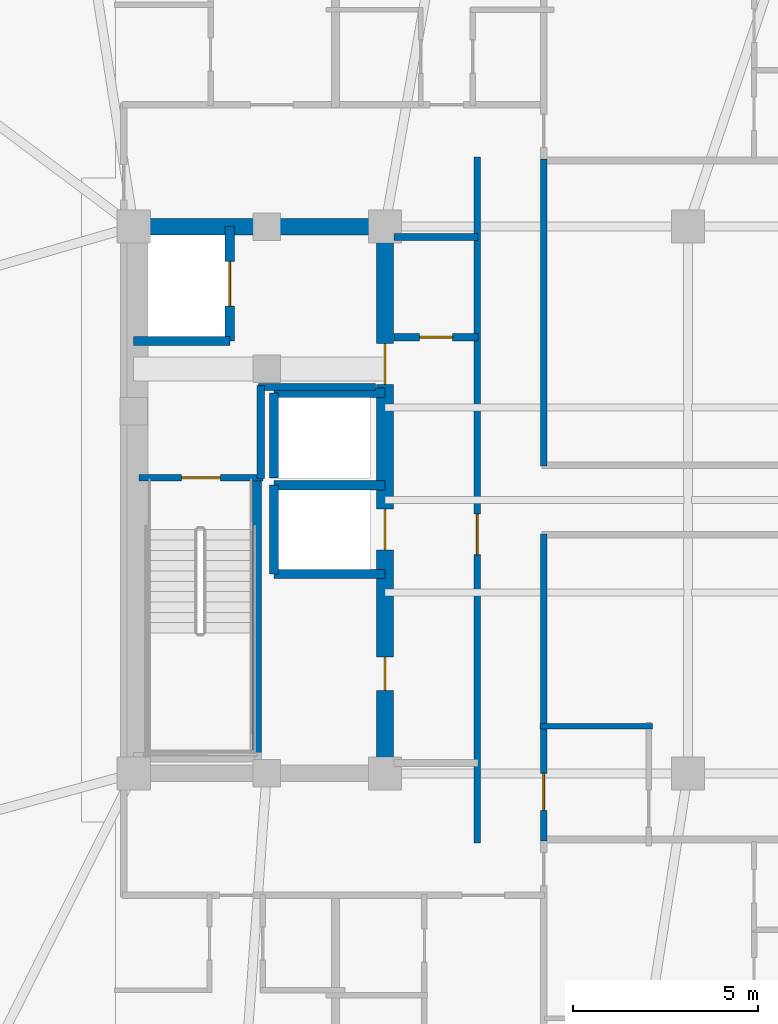
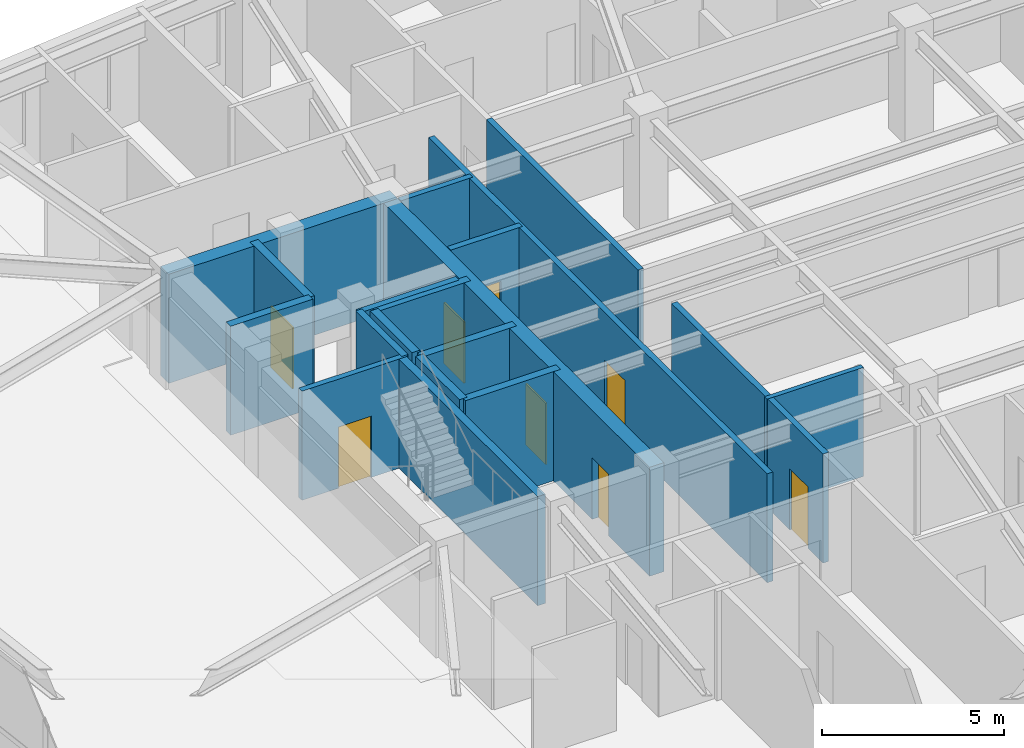
# One storey, part 7 of 15: 19 walls, 8 doors, 8 openings.
"""IFC4 building model written with IfcOpenShell, lengths in metres."""

import ifcopenshell
import ifcopenshell.guid

model = None  # the IFC model being written
_history = None  # IfcOwnerHistory: only IFC2X3 demands one
_inside = {}  # id of a spatial element -> (the spatial element, [elements in it])
_under = {}  # id of a project, library or spatial element -> (it, [spatial elements below it])
_declared = {}  # id of a project -> (the project, [libraries it declares])
_typed = {}  # id of a type object -> (the type object, [elements of that type])
_made_of = {}  # id of a material, layer set ... -> (it, [elements and type objects made of it])


def new_model(schema):
    """Start an empty IFC model of exactly this schema.

    Asked for "IFC4X3", IfcOpenShell would pick the latest addendum, in which some entities
    have other attributes; the version numbers below select the first issue.
    IFC2X3 requires an IfcOwnerHistory on every rooted entity: one is made here for all.
    """
    global model, _history
    if schema == "IFC4X3":
        model = ifcopenshell.file(schema_version=(4, 3, 0, 0))
    else:
        model = ifcopenshell.file(schema=schema)
    _inside.clear()
    _under.clear()
    _declared.clear()
    _typed.clear()
    _made_of.clear()
    _history = None
    if model.schema == "IFC2X3":
        org = make("IfcOrganization", Name="unknown")
        user = make(
            "IfcPersonAndOrganization",
            ThePerson=make("IfcPerson", FamilyName="unknown"),
            TheOrganization=org,
        )
        app = make(
            "IfcApplication",
            ApplicationDeveloper=org,
            Version="unknown",
            ApplicationFullName="unknown",
            ApplicationIdentifier="unknown",
        )
        _history = make(
            "IfcOwnerHistory",
            OwningUser=user,
            OwningApplication=app,
            ChangeAction="ADDED",
            CreationDate=0,
        )
    return model


def make(cls, **values):
    """One entity of the class cls with the attributes given. An attribute that is None is left unset."""
    return model.create_entity(
        cls, **{name: value for name, value in values.items() if value is not None}
    )


def rooted(cls, **values):
    """An entity with a GlobalId (a new one), such as an element, a storey or a relation."""
    return make(cls, GlobalId=ifcopenshell.guid.new(), OwnerHistory=_history, **values)


def si_unit(unit_type, name, prefix=None):
    """IfcSIUnit, for example si_unit("LENGTHUNIT", "METRE", prefix="MILLI")."""
    return make("IfcSIUnit", UnitType=unit_type, Prefix=prefix, Name=name)


def assignment(units):
    """IfcUnitAssignment: the units of a project."""
    return None if units is None else make("IfcUnitAssignment", Units=units)


def point(xyz):
    """IfcCartesianPoint."""
    return None if xyz is None else make("IfcCartesianPoint", Coordinates=xyz)


def direction(xyz):
    """IfcDirection."""
    return None if xyz is None else make("IfcDirection", DirectionRatios=xyz)


def frame(location, z_axis=None, x_axis=None):
    """IfcAxis2Placement3D, a coordinate frame: its origin and axes. An axis left out is left unset."""
    return make(
        "IfcAxis2Placement3D",
        Location=point(location),
        Axis=direction(z_axis),
        RefDirection=direction(x_axis),
    )


def frame_2d(location, x_axis=None):
    """IfcAxis2Placement2D, a coordinate frame in the plane: its origin and x axis."""
    return make(
        "IfcAxis2Placement2D", Location=point(location), RefDirection=direction(x_axis)
    )


def origin():
    """The frame at (0, 0, 0) with its axes left unset."""
    return frame((0.0, 0.0, 0.0))


def place(relative_to, where):
    """IfcLocalPlacement: puts the frame where relative to a parent placement (None: the world)."""
    return make(
        "IfcLocalPlacement", PlacementRelTo=relative_to, RelativePlacement=where
    )


def context(
    kind, dimensions, precision=None, world=None, true_north=None, identifier=None
):
    """IfcGeometricRepresentationContext, for example the 3D "Model" context."""
    return make(
        "IfcGeometricRepresentationContext",
        ContextIdentifier=identifier,
        ContextType=kind,
        CoordinateSpaceDimension=dimensions,
        Precision=precision,
        WorldCoordinateSystem=world,
        TrueNorth=true_north,
    )


def subcontext(parent, identifier, kind, view, scale=None):
    """IfcGeometricRepresentationSubContext, for example "Body" below "Model"."""
    return make(
        "IfcGeometricRepresentationSubContext",
        ContextIdentifier=identifier,
        ContextType=kind,
        ParentContext=parent,
        TargetScale=scale,
        TargetView=view,
    )


def project(units=None, contexts=None):
    """IfcProject with its units and contexts."""
    return rooted(
        "IfcProject",
        Name="project",
        RepresentationContexts=contexts,
        UnitsInContext=assignment(units),
    )


def spatial(cls, under=None, at=None, **own):
    """A site, building, storey or space (cls), placed at a placement, below another one or the project."""
    s = rooted(cls, ObjectPlacement=at, **own)
    if under is not None:
        _under.setdefault(under.id(), (under, []))[1].append(s)
    return s


def profile(cls, at=None, kind="AREA", **sizes):
    """A parametric profile (cls). Its sizes go by their IFC names, for example OverallWidth=200.0."""
    return make(cls, ProfileType=kind, Position=at, **sizes)


def rectangle(**sizes):
    """IfcRectangleProfileDef."""
    return profile("IfcRectangleProfileDef", **sizes)


def extrude(swept, where, along, depth):
    """IfcExtrudedAreaSolid: the profile swept, set in the frame where, extruded along a direction by depth."""
    return make(
        "IfcExtrudedAreaSolid",
        SweptArea=swept,
        Position=where,
        ExtrudedDirection=direction(along),
        Depth=depth,
    )


def shape(context_of_items, identifier, shape_type, items):
    """IfcShapeRepresentation: the items that make up one representation, for example the "Body"."""
    return make(
        "IfcShapeRepresentation",
        ContextOfItems=context_of_items,
        RepresentationIdentifier=identifier,
        RepresentationType=shape_type,
        Items=items,
    )


def material(Name=None, Category=None):
    """IfcMaterial."""
    return make("IfcMaterial", Name=Name, Category=Category)


def layer(
    of_material, thickness, ventilated=None, Name=None, Category=None, Priority=None
):
    """IfcMaterialLayer: one layer of a wall or slab, of a material (None: an air gap)."""
    return make(
        "IfcMaterialLayer",
        Material=of_material,
        LayerThickness=thickness,
        IsVentilated=ventilated,
        Name=Name,
        Category=Category,
        Priority=Priority,
    )


def layer_set(layers, Name=None):
    """IfcMaterialLayerSet."""
    return make("IfcMaterialLayerSet", MaterialLayers=layers, LayerSetName=Name)


def made_of(thing, what):
    """Note that an element or type object is made of a material, layer set ...; save() writes the relation."""
    if what is not None:
        _made_of.setdefault(what.id(), (what, []))[1].append(thing)
    return thing


def type_object(cls, material=None, **own):
    """A type object (cls), such as IfcWallType, which elements share."""
    return made_of(rooted(cls, **own), material)


def element(
    cls,
    number,
    at=None,
    inside=None,
    cuts=None,
    type_object=None,
    material=None,
    context=None,
    identifier="Body",
    shape_type=None,
    held_by="IfcProductDefinitionShape",
    body=None,
    shapes=None,
    **own,
):
    """One element of the class cls, such as IfcWall. Its Tag is "e" and its number.

    at: its placement. inside: the storey or other place that contains it. cuts: it is an
    opening in that element (IfcRelVoidsElement). A single representation is given by context,
    identifier, shape_type and body (its items); several are given by shapes. held_by: the class
    of the entity that holds the representations. save() writes the other relations.
    """
    e = rooted(cls, Tag="e%d" % number, ObjectPlacement=at, **own)
    if body is not None:
        shapes = [shape(context, identifier, shape_type, body)]
    if shapes is not None:
        e.Representation = make(held_by, Representations=shapes)
    if inside is not None:
        _inside.setdefault(inside.id(), (inside, []))[1].append(e)
    if cuts is not None:
        rooted(
            "IfcRelVoidsElement", RelatingBuildingElement=cuts, RelatedOpeningElement=e
        )
    if type_object is not None:
        _typed.setdefault(type_object.id(), (type_object, []))[1].append(e)
    return made_of(e, material)


def fill(opening, filler):
    """IfcRelFillsElement: the door or window that sits in an opening."""
    return rooted(
        "IfcRelFillsElement",
        RelatingOpeningElement=opening,
        RelatedBuildingElement=filler,
    )


def aggregate(whole, parts):
    """IfcRelAggregates: a whole, such as a stair, and the parts it consists of."""
    return rooted("IfcRelAggregates", RelatingObject=whole, RelatedObjects=parts)


def save(model, path):
    """Write the relations noted so far, then the file.

    IfcRelAggregates (storeys below a building ...), IfcRelContainedInSpatialStructure (elements
    in a storey), IfcRelDefinesByType, IfcRelAssociatesMaterial and IfcRelDeclares: one each for
    every whole, place, type object, material and project.
    """
    for whole, parts in _under.values():
        aggregate(whole, parts)
    for where, things in _inside.values():
        rooted(
            "IfcRelContainedInSpatialStructure",
            RelatedElements=things,
            RelatingStructure=where,
        )
    for kind, things in _typed.values():
        rooted("IfcRelDefinesByType", RelatedObjects=things, RelatingType=kind)
    for what, things in _made_of.values():
        rooted("IfcRelAssociatesMaterial", RelatedObjects=things, RelatingMaterial=what)
    for by, libraries in _declared.values():
        rooted("IfcRelDeclares", RelatingContext=by, RelatedDefinitions=libraries)
    model.write(path)


model = new_model("IFC4")

# Units and contexts
model_context = context("Model", 3, precision=1e-05, world=origin(), true_north=direction((0.0, 1.0)))
body_context = subcontext(model_context, "Body", "Model", "MODEL_VIEW")
ifc_project = project(units=[si_unit("LENGTHUNIT", "METRE"), si_unit("AREAUNIT", "SQUARE_METRE"), si_unit("VOLUMEUNIT", "CUBIC_METRE"), si_unit("PLANEANGLEUNIT", "RADIAN"), si_unit("MASSUNIT", "GRAM", prefix="KILO")], contexts=[model_context])

# Site, building, storey
site_placement = place(None, origin())
site = spatial("IfcSite", under=ifc_project, at=site_placement, CompositionType="ELEMENT")
building_placement = place(site_placement, origin())
building = spatial("IfcBuilding", under=site, at=building_placement, Name="Voryun Gate Residences", CompositionType="ELEMENT")
storey_placement = place(building_placement, frame((0.0, 0.0, 148.199951171875)))
storey = spatial("IfcBuildingStorey", under=building, at=storey_placement, Name="L36", CompositionType="ELEMENT", Elevation=148.199951171875)

# Wall
ifc_material_1 = material(Name="Concrete C50/60", Category="concrete")
ifc_layer_1 = layer(ifc_material_1, 0.449951171875, Name="CW_CORE_450")
ifc_layer_set_1 = layer_set([ifc_layer_1], Name="Concrete C50/60")
wall_type_1 = type_object("IfcWallType", Name="CW_CORE_450", PredefinedType="SHEAR", material=ifc_layer_set_1)
wall_1_placement = place(storey_placement, frame((-19.425048828125, 7.39990234375, 0.0), z_axis=(0.0, 0.0, 1.0), x_axis=(1.0, 0.0, 0.0)))
element("IfcWall", 1, at=wall_1_placement, inside=storey, type_object=wall_type_1, Name="L36 Core shear wall CW-L36-WN", PredefinedType="SHEAR", context=body_context, shape_type="SweptSolid", body=[
    extrude(rectangle(XDim=7.25, YDim=0.449951171875, at=frame_2d((3.625, 0.0))), origin(), (0.0, 0.0, 1.0), 3.650146484375),
])

# Wall, openings, doors
wall_2_placement = place(storey_placement, frame((-12.39990234375, -7.39990234375, 0.0), z_axis=(0.0, 0.0, 1.0), x_axis=(0.0, 1.0, 0.0)))
wall_2 = element("IfcWall", 2, at=wall_2_placement, inside=storey, type_object=wall_type_1, Name="L36 Core shear wall CW-L36-WE", PredefinedType="SHEAR", context=body_context, shape_type="SweptSolid", body=[
    extrude(rectangle(XDim=14.7998046875, YDim=0.449951171875, at=frame_2d((7.39990234375, 0.0))), origin(), (0.0, 0.0, 1.0), 3.650146484375),
])
opening_1_placement = place(wall_2_placement, frame((6.050048828125, 0.0, 0.0)))
opening_1 = element("IfcOpeningElement", 3, at=opening_1_placement, cuts=wall_2, Name="Opening LD2", PredefinedType="OPENING", context=body_context, shape_type="SweptSolid", body=[
    extrude(rectangle(XDim=1.10009765625, YDim=2.050048828125, at=frame_2d((0.550048828125, 1.02490234375))), frame((0.0, 0.235107421875, 0.0), z_axis=(0.0, -1.0, 0.0), x_axis=(1.0, 0.0, 0.0)), (0.0, 0.0, 1.0), 0.469970703125),
])
opening_2_placement = place(wall_2_placement, frame((10.530029296875, 0.0, 0.0)))
opening_2 = element("IfcOpeningElement", 4, at=opening_2_placement, cuts=wall_2, Name="Opening D-FD60-2", PredefinedType="OPENING", context=body_context, shape_type="SweptSolid", body=[
    extrude(rectangle(XDim=1.10009765625, YDim=2.050048828125, at=frame_2d((0.550048828125, 1.02490234375))), frame((0.0, 0.235107421875, 0.0), z_axis=(0.0, -1.0, 0.0), x_axis=(1.0, 0.0, 0.0)), (0.0, 0.0, 1.0), 0.469970703125),
])
opening_3_placement = place(wall_2_placement, frame((2.25, 0.0, 0.0)))
opening_3 = element("IfcOpeningElement", 5, at=opening_3_placement, cuts=wall_2, Name="Opening D-FD60-4", PredefinedType="OPENING", context=body_context, shape_type="SweptSolid", body=[
    extrude(rectangle(XDim=0.89990234375, YDim=2.050048828125, at=frame_2d((0.449951171875, 1.02490234375))), frame((0.0, 0.235107421875, 0.0), z_axis=(0.0, -1.0, 0.0), x_axis=(1.0, 0.0, 0.0)), (0.0, 0.0, 1.0), 0.469970703125),
])
ifc_material_2 = material(Name="Painted steel fire door", Category="steel")
door_type_1 = type_object("IfcDoorType", Name="DR_FD60_FFLOB_1100", OperationType="NOTDEFINED", PredefinedType="DOOR", material=ifc_material_2)
door_1_placement = place(opening_2_placement, origin())
door_1 = element("IfcDoor", 6, at=door_1_placement, inside=storey, type_object=door_type_1, Name="Door DR-L36-CLOB-W", OperationType="SINGLE_SWING_LEFT", OverallHeight=2.050048828125, OverallWidth=1.10009765625, PredefinedType="DOOR", context=body_context, shape_type="SweptSolid", body=[
    extrude(rectangle(XDim=1.10009765625, YDim=2.050048828125, at=frame_2d((0.550048828125, 1.02490234375))), frame((0.0, 0.02490234375, 0.0), z_axis=(0.0, -1.0, 0.0), x_axis=(1.0, 0.0, 0.0)), (0.0, 0.0, 1.0), 0.050048828125),
])
fill(opening_2, door_1)
ifc_material_3 = material(Name="Painted steel fire door", Category="steel")
door_type_2 = type_object("IfcDoorType", Name="DR_FD60_RISER_900", OperationType="NOTDEFINED", PredefinedType="DOOR", material=ifc_material_3)
door_2_placement = place(opening_3_placement, origin())
door_2 = element("IfcDoor", 7, at=door_2_placement, inside=storey, type_object=door_type_2, Name="Door DR-L36-RECW1", OperationType="SINGLE_SWING_LEFT", OverallHeight=2.050048828125, OverallWidth=0.89990234375, PredefinedType="DOOR", context=body_context, shape_type="SweptSolid", body=[
    extrude(rectangle(XDim=0.89990234375, YDim=2.050048828125, at=frame_2d((0.449951171875, 1.02490234375))), frame((0.0, 0.02490234375, 0.0), z_axis=(0.0, -1.0, 0.0), x_axis=(1.0, 0.0, 0.0)), (0.0, 0.0, 1.0), 0.050048828125),
])
fill(opening_3, door_2)
ifc_material_4 = material(Name="Anodised aluminium", Category="aluminium")
door_type_3 = type_object("IfcDoorType", Name="DR_LD_PASS_1100", OperationType="NOTDEFINED", PredefinedType="DOOR", material=ifc_material_4)
door_3_placement = place(opening_1_placement, origin())
door_3 = element("IfcDoor", 8, at=door_3_placement, inside=storey, type_object=door_type_3, Name="Lift EL-P4 sliding landing door L36", OperationType="SLIDING_TO_LEFT", OverallHeight=2.050048828125, OverallWidth=1.10009765625, PredefinedType="DOOR", context=body_context, shape_type="SweptSolid", body=[
    extrude(rectangle(XDim=1.10009765625, YDim=2.050048828125, at=frame_2d((0.550048828125, 1.02490234375))), frame((0.0, 0.02490234375, 0.0), z_axis=(0.0, -1.0, 0.0), x_axis=(1.0, 0.0, 0.0)), (0.0, 0.0, 1.0), 0.050048828125),
])
fill(opening_1, door_3)

# Wall, opening, door
ifc_material_5 = material(Name="Gypsum acoustic fireboard")
ifc_layer_2 = layer(ifc_material_5, 0.179931640625, Name="W_CORR_RATED_180")
ifc_layer_set_2 = layer_set([ifc_layer_2], Name="Gypsum acoustic fireboard")
wall_type_2 = type_object("IfcWallType", Name="W_CORR_RATED_180", PredefinedType="PARTITIONING", material=ifc_layer_set_2)
wall_3_placement = place(storey_placement, frame((-19.06005859375, 0.60009765625, 0.0), z_axis=(0.0, 0.0, 1.0), x_axis=(1.0, 0.0, 0.0)))
wall_3 = element("IfcWall", 9, at=wall_3_placement, inside=storey, type_object=wall_type_2, Name="Partition wall WP-L36-STV-W", PredefinedType="PARTITIONING", context=body_context, shape_type="SweptSolid", body=[
    extrude(rectangle(XDim=3.360107421875, YDim=0.179931640625, at=frame_2d((1.68017578125, 0.0))), origin(), (0.0, 0.0, 1.0), 3.650146484375),
])
opening_4_placement = place(wall_3_placement, frame((1.155029296875, 0.0, 0.0)))
opening_4 = element("IfcOpeningElement", 10, at=opening_4_placement, cuts=wall_3, Name="Opening D-FD60-1", PredefinedType="OPENING", context=body_context, shape_type="SweptSolid", body=[
    extrude(rectangle(XDim=1.050048828125, YDim=2.050048828125, at=frame_2d((0.52490234375, 1.02490234375))), frame((0.0, 0.099853515625, 0.0), z_axis=(0.0, -1.0, 0.0), x_axis=(1.0, 0.0, 0.0)), (0.0, 0.0, 1.0), 0.199951171875),
])
ifc_material_6 = material(Name="Painted steel fire door", Category="steel")
door_type_4 = type_object("IfcDoorType", Name="DR_FD60_STAIR_1050", OperationType="NOTDEFINED", PredefinedType="DOOR", material=ifc_material_6)
door_4_placement = place(opening_4_placement, origin())
door_4 = element("IfcDoor", 11, at=door_4_placement, inside=storey, type_object=door_type_4, Name="Door DR-L36-ST-W", OperationType="SINGLE_SWING_LEFT", OverallHeight=2.050048828125, OverallWidth=1.050048828125, PredefinedType="DOOR", context=body_context, shape_type="SweptSolid", body=[
    extrude(rectangle(XDim=1.050048828125, YDim=2.050048828125, at=frame_2d((0.52490234375, 1.02490234375))), frame((0.0, 0.02490234375, 0.0), z_axis=(0.0, -1.0, 0.0), x_axis=(1.0, 0.0, 0.0)), (0.0, 0.0, 1.0), 0.050048828125),
])
fill(opening_4, door_4)

# Wall
wall_4_placement = place(storey_placement, frame((-12.14990234375, 7.1201171875, 0.0), z_axis=(0.0, 0.0, 1.0), x_axis=(1.0, 0.0, 0.0)))
element("IfcWall", 12, at=wall_4_placement, inside=storey, type_object=wall_type_2, Name="Partition wall WP-L36-PLBN-W", PredefinedType="PARTITIONING", context=body_context, shape_type="SweptSolid", body=[
    extrude(rectangle(XDim=2.27001953125, YDim=0.179931640625, at=frame_2d((1.135009765625, 0.0))), origin(), (0.0, 0.0, 1.0), 3.650146484375),
])

# Wall, opening, door
wall_5_placement = place(storey_placement, frame((-9.89990234375, -9.280029296875, 0.0), z_axis=(0.0, 0.0, 1.0), x_axis=(0.0, 1.0, 0.0)))
wall_5 = element("IfcWall", 13, at=wall_5_placement, inside=storey, type_object=wall_type_2, Name="Partition wall WP-L36-PLBW-FULL", PredefinedType="PARTITIONING", context=body_context, shape_type="SweptSolid", body=[
    extrude(rectangle(XDim=18.56005859375, YDim=0.179931640625, at=frame_2d((9.280029296875, 0.0))), origin(), (0.0, 0.0, 1.0), 3.650146484375),
])
opening_5_placement = place(wall_5_placement, frame((7.802001953125, 0.0, 0.0)))
opening_5 = element("IfcOpeningElement", 14, at=opening_5_placement, cuts=wall_5, Name="Opening D-FD60-2", PredefinedType="OPENING", context=body_context, shape_type="SweptSolid", body=[
    extrude(rectangle(XDim=1.10009765625, YDim=2.050048828125, at=frame_2d((0.550048828125, 1.02490234375))), frame((0.0, 0.099853515625, 0.0), z_axis=(0.0, -1.0, 0.0), x_axis=(1.0, 0.0, 0.0)), (0.0, 0.0, 1.0), 0.199951171875),
])
door_5_placement = place(opening_5_placement, origin())
door_5 = element("IfcDoor", 15, at=door_5_placement, inside=storey, type_object=door_type_1, Name="Door DR-L36-PLBW-COR", OperationType="SINGLE_SWING_LEFT", OverallHeight=2.050048828125, OverallWidth=1.10009765625, PredefinedType="DOOR", context=body_context, shape_type="SweptSolid", body=[
    extrude(rectangle(XDim=1.10009765625, YDim=2.050048828125, at=frame_2d((0.550048828125, 1.02490234375))), frame((0.0, 0.02490234375, 0.0), z_axis=(0.0, -1.0, 0.0), x_axis=(1.0, 0.0, 0.0)), (0.0, 0.0, 1.0), 0.050048828125),
])
fill(opening_5, door_5)

# Wall
wall_6_placement = place(storey_placement, frame((-8.10009765625, 0.919921875, 0.0), z_axis=(0.0, 0.0, 1.0), x_axis=(0.0, 1.0, 0.0)))
element("IfcWall", 16, at=wall_6_placement, inside=storey, type_object=wall_type_2, Name="Partition wall WP-L36-Z2WL1", PredefinedType="PARTITIONING", context=body_context, shape_type="SweptSolid", body=[
    extrude(rectangle(XDim=8.31005859375, YDim=0.179931640625, at=frame_2d((4.155029296875, 0.0))), origin(), (0.0, 0.0, 1.0), 3.650146484375),
])

# Wall, opening, door
wall_7_placement = place(storey_placement, frame((-8.10009765625, -9.22998046875, 0.0), z_axis=(0.0, 0.0, 1.0), x_axis=(0.0, 1.0, 0.0)))
wall_7 = element("IfcWall", 17, at=wall_7_placement, inside=storey, type_object=wall_type_2, Name="Partition wall WP-L36-Z2WL2", PredefinedType="PARTITIONING", context=body_context, shape_type="SweptSolid", body=[
    extrude(rectangle(XDim=8.31005859375, YDim=0.179931640625, at=frame_2d((4.155029296875, 0.0))), origin(), (0.0, 0.0, 1.0), 3.650146484375),
])
opening_6_placement = place(wall_7_placement, frame((0.82958984375, 0.0, 0.0)))
opening_6 = element("IfcOpeningElement", 18, at=opening_6_placement, cuts=wall_7, Name="Opening D-AWC-1", PredefinedType="OPENING", context=body_context, shape_type="SweptSolid", body=[
    extrude(rectangle(XDim=1.0, YDim=2.050048828125, at=frame_2d((0.5, 1.02490234375))), frame((0.0, 0.099853515625, 0.0), z_axis=(0.0, -1.0, 0.0), x_axis=(1.0, 0.0, 0.0)), (0.0, 0.0, 1.0), 0.199951171875),
])
ifc_material_7 = material(Name="Architectural oak veneer")
door_type_5 = type_object("IfcDoorType", Name="DR_ACC_WC_1000", OperationType="NOTDEFINED", PredefinedType="DOOR", material=ifc_material_7)
door_6_placement = place(opening_6_placement, origin())
door_6 = element("IfcDoor", 19, at=door_6_placement, inside=storey, type_object=door_type_5, Name="Door DR-L36-CMWC-D", OperationType="SINGLE_SWING_LEFT", OverallHeight=2.050048828125, OverallWidth=1.0, PredefinedType="DOOR", context=body_context, shape_type="SweptSolid", body=[
    extrude(rectangle(XDim=1.0, YDim=2.050048828125, at=frame_2d((0.5, 1.02490234375))), frame((0.0, 0.02490234375, 0.0), z_axis=(0.0, -1.0, 0.0), x_axis=(1.0, 0.0, 0.0)), (0.0, 0.0, 1.0), 0.050048828125),
])
fill(opening_6, door_6)

# Walls
ifc_material_8 = material(Name="Concrete C40/50", Category="concrete")
ifc_layer_3 = layer(ifc_material_8, 0.199951171875, Name="W_FF_LOBBY_200")
ifc_layer_set_3 = layer_set([ifc_layer_3], Name="Concrete C40/50")
wall_type_3 = type_object("IfcWallType", Name="W_FF_LOBBY_200", PredefinedType="PARTITIONING", material=ifc_layer_set_3)
wall_8_placement = place(storey_placement, frame((-15.760009765625, 0.580078125, 0.0), z_axis=(0.0, 0.0, 1.0), x_axis=(0.0, 1.0, 0.0)))
element("IfcWall", 20, at=wall_8_placement, inside=storey, type_object=wall_type_3, Name="Partition wall WP-L36-FFP0-W", PredefinedType="PARTITIONING", context=body_context, shape_type="SweptSolid", body=[
    extrude(rectangle(XDim=2.52001953125, YDim=0.199951171875, at=frame_2d((1.260009765625, 0.0))), origin(), (0.0, 0.0, 1.0), 3.650146484375),
])
wall_9_placement = place(storey_placement, frame((-15.820068359375, 3.06005859375, 0.0), z_axis=(0.0, 0.0, 1.0), x_axis=(1.0, 0.0, 0.0)))
element("IfcWall", 21, at=wall_9_placement, inside=storey, type_object=wall_type_3, Name="Partition wall WP-L36-FFPS-W", PredefinedType="PARTITIONING", context=body_context, shape_type="SweptSolid", body=[
    extrude(rectangle(XDim=3.16015625, YDim=0.199951171875, at=frame_2d((1.580078125, 0.0))), origin(), (0.0, 0.0, 1.0), 3.650146484375),
])

# Wall, opening, door
wall_10_placement = place(storey_placement, frame((-12.14990234375, 4.409912109375, 0.0), z_axis=(0.0, 0.0, 1.0), x_axis=(1.0, 0.0, 0.0)))
wall_10 = element("IfcWall", 22, at=wall_10_placement, inside=storey, type_object=wall_type_3, Name="Partition wall WP-L36-CSFLKS-W", PredefinedType="PARTITIONING", context=body_context, shape_type="SweptSolid", body=[
    extrude(rectangle(XDim=2.27001953125, YDim=0.199951171875, at=frame_2d((1.135009765625, 0.0))), origin(), (0.0, 0.0, 1.0), 3.650146484375),
])
opening_7_placement = place(wall_10_placement, frame((0.68505859375, 0.0, 0.0)))
opening_7 = element("IfcOpeningElement", 23, at=opening_7_placement, cuts=wall_10, Name="Opening D-FD60-4", PredefinedType="OPENING", context=body_context, shape_type="SweptSolid", body=[
    extrude(rectangle(XDim=0.89990234375, YDim=2.050048828125, at=frame_2d((0.449951171875, 1.02490234375))), frame((0.0, 0.110107421875, 0.0), z_axis=(0.0, -1.0, 0.0), x_axis=(1.0, 0.0, 0.0)), (0.0, 0.0, 1.0), 0.219970703125),
])
door_7_placement = place(opening_7_placement, origin())
door_7 = element("IfcDoor", 24, at=door_7_placement, inside=storey, type_object=door_type_2, Name="Door DR-L36-CSFLK-W", OperationType="SINGLE_SWING_LEFT", OverallHeight=2.050048828125, OverallWidth=0.89990234375, PredefinedType="DOOR", context=body_context, shape_type="SweptSolid", body=[
    extrude(rectangle(XDim=0.89990234375, YDim=2.050048828125, at=frame_2d((0.449951171875, 1.02490234375))), frame((0.0, 0.02490234375, 0.0), z_axis=(0.0, -1.0, 0.0), x_axis=(1.0, 0.0, 0.0)), (0.0, 0.0, 1.0), 0.050048828125),
])
fill(opening_7, door_7)

# Walls
ifc_material_9 = material(Name="Concrete C50/60", Category="concrete")
ifc_layer_4 = layer(ifc_material_9, 0.25, Name="W_SHAFT_RC250")
ifc_layer_set_4 = layer_set([ifc_layer_4], Name="Concrete C50/60")
wall_type_4 = type_object("IfcWallType", Name="W_SHAFT_RC250", PredefinedType="SOLIDWALL", material=ifc_layer_set_4)
wall_11_placement = place(storey_placement, frame((-15.860107421875, -7.0849609375, 0.0), z_axis=(0.0, 0.0, 1.0), x_axis=(0.0, 1.0, 0.0)))
element("IfcWall", 25, at=wall_11_placement, inside=storey, type_object=wall_type_4, Name="L36 Stair shaft structural wall W-STR", PredefinedType="SOLIDWALL", context=body_context, shape_type="SweptSolid", body=[
    extrude(rectangle(XDim=7.68505859375, YDim=0.25, at=frame_2d((3.842529296875, 0.0))), origin(), (0.0, 0.0, 1.0), 3.650146484375),
])
wall_12_placement = place(storey_placement, frame((-19.199951171875, 4.300048828125, 0.0), z_axis=(0.0, 0.0, 1.0), x_axis=(1.0, 0.0, 0.0)))
element("IfcWall", 26, at=wall_12_placement, inside=storey, type_object=wall_type_4, Name="Lift shaft wall WSH-L36-EL-FF-W1-S", PredefinedType="SOLIDWALL", context=body_context, shape_type="SweptSolid", body=[
    extrude(rectangle(XDim=2.599853515625, YDim=0.25, at=frame_2d((1.2998046875, 0.0))), origin(), (0.0, 0.0, 1.0), 3.650146484375),
])

# Wall, opening, door
wall_13_placement = place(storey_placement, frame((-16.60009765625, 4.300048828125, 0.0), z_axis=(0.0, 0.0, 1.0), x_axis=(0.0, 1.0, 0.0)))
wall_13 = element("IfcWall", 27, at=wall_13_placement, inside=storey, type_object=wall_type_4, Name="Lift shaft wall WSH-L36-EL-FF-W1-E", PredefinedType="SOLIDWALL", context=body_context, shape_type="SweptSolid", body=[
    extrude(rectangle(XDim=3.099853515625, YDim=0.25, at=frame_2d((1.5498046875, 0.0))), origin(), (0.0, 0.0, 1.0), 3.650146484375),
])
opening_8_placement = place(wall_13_placement, frame((0.949951171875, 0.0, 0.0)))
opening_8 = element("IfcOpeningElement", 28, at=opening_8_placement, cuts=wall_13, Name="Opening LD1", PredefinedType="OPENING", context=body_context, shape_type="SweptSolid", body=[
    extrude(rectangle(XDim=1.199951171875, YDim=2.050048828125, at=frame_2d((0.60009765625, 1.02490234375))), frame((0.0, 0.135009765625, 0.0), z_axis=(0.0, -1.0, 0.0), x_axis=(1.0, 0.0, 0.0)), (0.0, 0.0, 1.0), 0.27001953125),
])
ifc_material_10 = material(Name="Anodised aluminium", Category="aluminium")
door_type_6 = type_object("IfcDoorType", Name="DR_LD_FF_1200", OperationType="NOTDEFINED", PredefinedType="DOOR", material=ifc_material_10)
door_8_placement = place(opening_8_placement, origin())
door_8 = element("IfcDoor", 29, at=door_8_placement, inside=storey, type_object=door_type_6, Name="Lift EL-FF-W1 sliding landing door L36", OperationType="SLIDING_TO_LEFT", OverallHeight=2.050048828125, OverallWidth=1.199951171875, PredefinedType="DOOR", context=body_context, shape_type="SweptSolid", body=[
    extrude(rectangle(XDim=1.199951171875, YDim=2.050048828125, at=frame_2d((0.60009765625, 1.02490234375))), frame((0.0, 0.02490234375, 0.0), z_axis=(0.0, -1.0, 0.0), x_axis=(1.0, 0.0, 0.0)), (0.0, 0.0, 1.0), 0.050048828125),
])
fill(opening_8, door_8)

# Walls
for number, where, z_axis, x_axis, name in (
    (30, (-15.39990234375, -2.0, 0.0), (0.0, 0.0, 1.0), (1.0, 0.0, 0.0), "Lift shaft wall WSH-L36-EL-P4-S"),
    (31, (-12.39990234375, 0.39990234375, 0.0), (0.0, 0.0, 1.0), (-1.0, 0.0, 0.0), "Lift shaft wall WSH-L36-EL-P4-N"),
):
    element("IfcWall", number, at=place(storey_placement, frame(where, z_axis=z_axis, x_axis=x_axis)), inside=storey, type_object=wall_type_4, Name=name, PredefinedType="SOLIDWALL", context=body_context, shape_type="SweptSolid", body=[
        extrude(rectangle(XDim=3.0, YDim=0.25, at=frame_2d((1.5, 0.0))), origin(), (0.0, 0.0, 1.0), 3.650146484375),
    ])
wall_14_placement = place(storey_placement, frame((-15.39990234375, 0.39990234375, 0.0), z_axis=(0.0, 0.0, 1.0), x_axis=(0.0, -1.0, 0.0)))
element("IfcWall", 32, at=wall_14_placement, inside=storey, type_object=wall_type_4, Name="Lift shaft wall WSH-L36-EL-P4-W", PredefinedType="SOLIDWALL", context=body_context, shape_type="SweptSolid", body=[
    extrude(rectangle(XDim=2.39990234375, YDim=0.25, at=frame_2d((1.199951171875, 0.0))), origin(), (0.0, 0.0, 1.0), 3.650146484375),
])
wall_15_placement = place(storey_placement, frame((-12.39990234375, 2.89990234375, 0.0), z_axis=(0.0, 0.0, 1.0), x_axis=(-1.0, 0.0, 0.0)))
element("IfcWall", 33, at=wall_15_placement, inside=storey, type_object=wall_type_4, Name="Lift shaft wall WSH-L36-EL-P7-N", PredefinedType="SOLIDWALL", context=body_context, shape_type="SweptSolid", body=[
    extrude(rectangle(XDim=3.0, YDim=0.25, at=frame_2d((1.5, 0.0))), origin(), (0.0, 0.0, 1.0), 3.650146484375),
])
wall_16_placement = place(storey_placement, frame((-15.39990234375, 2.89990234375, 0.0), z_axis=(0.0, 0.0, 1.0), x_axis=(0.0, -1.0, 0.0)))
element("IfcWall", 34, at=wall_16_placement, inside=storey, type_object=wall_type_4, Name="Lift shaft wall WSH-L36-EL-P7-W", PredefinedType="SOLIDWALL", context=body_context, shape_type="SweptSolid", body=[
    extrude(rectangle(XDim=2.2998046875, YDim=0.25, at=frame_2d((1.14990234375, 0.0))), origin(), (0.0, 0.0, 1.0), 3.650146484375),
])
ifc_material_11 = material(Name="Gypsum moisture-resistant partition")
ifc_layer_5 = layer(ifc_material_11, 0.14990234375, Name="W_WET_PLUMB_150")
ifc_layer_set_5 = layer_set([ifc_layer_5], Name="Gypsum moisture-resistant partition")
wall_type_5 = type_object("IfcWallType", Name="W_WET_PLUMB_150", PredefinedType="PLUMBINGWALL", material=ifc_layer_set_5)
wall_17_placement = place(storey_placement, frame((-8.2099609375, -6.1201171875, 0.0), z_axis=(0.0, 0.0, 1.0), x_axis=(1.0, 0.0, 0.0)))
element("IfcWall", 35, at=wall_17_placement, inside=storey, type_object=wall_type_5, Name="Partition wall WP-L36-CMWCY", PredefinedType="PLUMBINGWALL", context=body_context, shape_type="SweptSolid", body=[
    extrude(rectangle(XDim=3.050048828125, YDim=0.14990234375, at=frame_2d((1.52490234375, 0.0))), origin(), (0.0, 0.0, 1.0), 3.650146484375),
])

save(model, "model.ifc")
